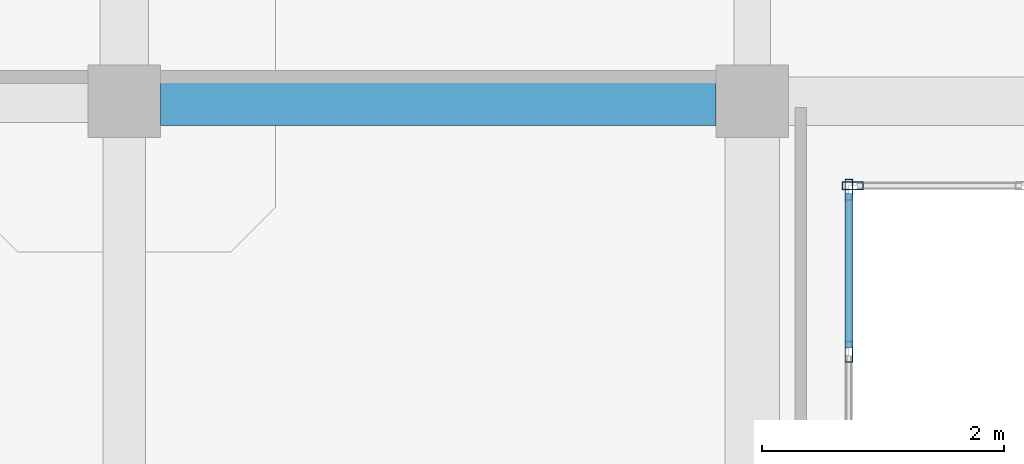
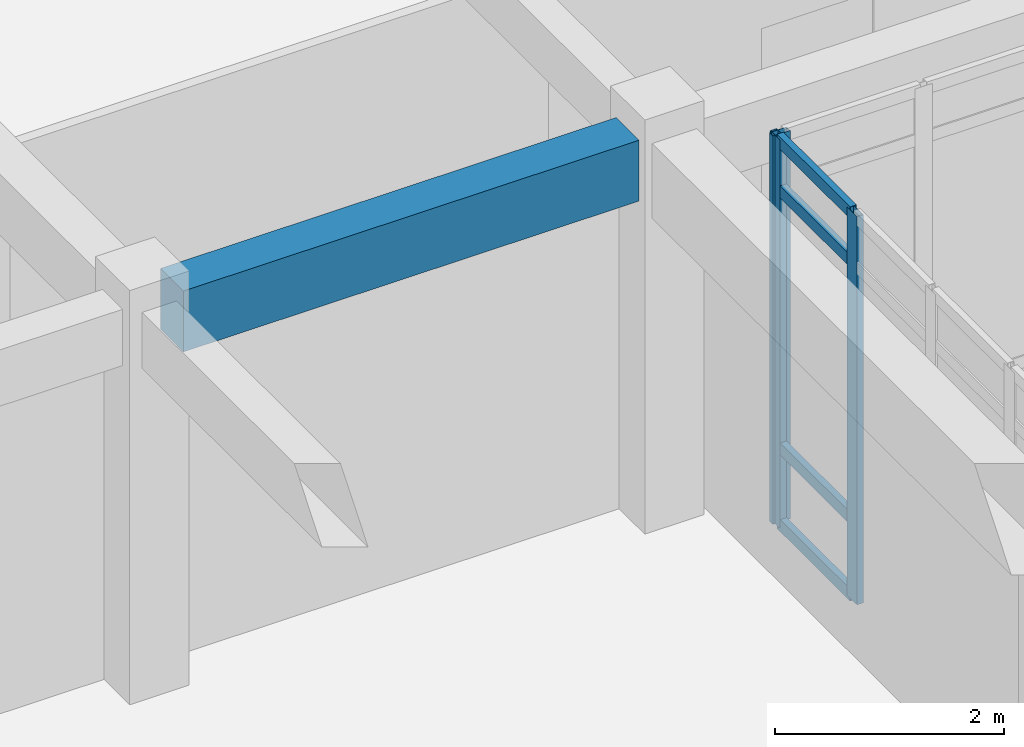
# One storey, part 94 of 142: 7 members, 1 beam, 2 elements without a shape of their own.
"""IFC4 building model written with IfcOpenShell, lengths in metres."""

from ifc_helpers import new_model, si_unit, direction, frame, origin, origin_2d, place, context, subcontext, project, spatial, rectangle, hollow_rectangle, extrude, material, layer, layer_set, material_profile, profile_set, type_object, element, aggregate, save


model = new_model("IFC4")

# Units and contexts
model_context = context("Model", 3, precision=1e-05, world=origin(), true_north=direction((0.0, 1.0)))
body_context = subcontext(model_context, "Body", "Model", "MODEL_VIEW")
ifc_project = project(units=[si_unit("LENGTHUNIT", "METRE"), si_unit("AREAUNIT", "SQUARE_METRE"), si_unit("VOLUMEUNIT", "CUBIC_METRE"), si_unit("PLANEANGLEUNIT", "RADIAN"), si_unit("MASSUNIT", "GRAM", prefix="KILO")], contexts=[model_context])

# Site, building, storey
site_placement = place(None, origin())
site = spatial("IfcSite", under=ifc_project, at=site_placement, CompositionType="ELEMENT")
building_placement = place(site_placement, origin())
building = spatial("IfcBuilding", under=site, at=building_placement, Name="Valcora Specialist Clinic", CompositionType="ELEMENT")
storey_placement = place(building_placement, frame((0.0, 0.0, 5.10009765625)))
storey = spatial("IfcBuildingStorey", under=building, at=storey_placement, Name="L01", CompositionType="ELEMENT", Elevation=5.10009765625)

# Beam
ifc_material_1 = material(Name="Concrete C40/50", Category="concrete")
ifc_material_profile_1 = material_profile(ifc_material_1, rectangle(XDim=0.39990234375, YDim=0.64990234375, at=origin_2d()), Name="RC-BM-400X650")
ifc_profile_set_1 = profile_set([ifc_material_profile_1], Name="Concrete C40/50")
beam_type = type_object("IfcBeamType", Name="TY-BM-RC400X650", PredefinedType="BEAM", material=ifc_profile_set_1)
beam_placement = place(storey_placement, frame((106.300048828125, 99.199951171875, 3.81982421875), z_axis=(1.0, 0.0, 0.0), x_axis=(0.0, 1.0, 0.0)))
element("IfcBeam", 1, at=beam_placement, inside=storey, type_object=beam_type, Name="Beam BM-L01-0645", PredefinedType="BEAM", context=body_context, shape_type="SweptSolid", body=[
    extrude(rectangle(XDim=0.39990234375, YDim=0.64990234375, at=origin_2d()), origin(), (0.0, 0.0, 1.0), 4.599853515625),
])

# Curtain wall, member
ifc_material_2 = material(Name="Anodized Bronze Aluminium 6063-T6", Category="aluminium")
ifc_layer = layer(ifc_material_2, 0.175048828125)
ifc_layer_set = layer_set([ifc_layer], Name="Anodized Bronze Aluminium 6063-T6")
curtain_wall_type = type_object("IfcCurtainWallType", Name="TY-CW-CRT15", PredefinedType="NOTDEFINED", material=ifc_layer_set)
curtain_wall_1_placement = place(storey_placement, origin())
curtain_wall_1 = element("IfcCurtainWall", 2, at=curtain_wall_1_placement, inside=storey, type_object=curtain_wall_type, Name="Curtain wall CW-L01-081", PredefinedType="NOTDEFINED")
ifc_material_profile_2 = material_profile(ifc_material_2, hollow_rectangle(XDim=0.06494140625, YDim=0.175048828125, WallThickness=0.00390625, at=origin_2d()), Name="AL-MUL-65X175")
ifc_profile_set_2 = profile_set([ifc_material_profile_2], Name="Anodized Bronze Aluminium 6063-T6")
member_type_1 = type_object("IfcMemberType", Name="TY-CWM-65X175", PredefinedType="MULLION", material=ifc_profile_set_2)
member_1_placement = place(storey_placement, frame((112.032470703125, 98.5, 0.0), z_axis=(0.0, 0.0, 1.0), x_axis=(0.0, -1.0, 0.0)))
member_1 = element("IfcMember", 3, at=member_1_placement, type_object=member_type_1, Name="CW-CRT-15 mullion 4", PredefinedType="MULLION", context=body_context, shape_type="SweptSolid", body=[
    extrude(hollow_rectangle(XDim=0.06494140625, YDim=0.175048828125, WallThickness=0.00390625, at=origin_2d()), origin(), (0.0, 0.0, 1.0), 4.14501953125),
])
aggregate(curtain_wall_1, [member_1])

# Curtain wall, members
curtain_wall_2_placement = place(storey_placement, origin())
curtain_wall_2 = element("IfcCurtainWall", 4, at=curtain_wall_2_placement, inside=storey, type_object=curtain_wall_type, Name="Curtain wall CW-L01-082", PredefinedType="NOTDEFINED")
member_2_placement = place(storey_placement, frame((112.0, 98.467529296875, 0.0), z_axis=(0.0, 0.0, 1.0), x_axis=(1.0, 0.0, 0.0)))
member_2 = element("IfcMember", 5, at=member_2_placement, type_object=member_type_1, Name="CW-CRT-15 mullion 1", PredefinedType="MULLION", context=body_context, shape_type="SweptSolid", body=[
    extrude(hollow_rectangle(XDim=0.06494140625, YDim=0.175048828125, WallThickness=0.00390625, at=origin_2d()), origin(), (0.0, 0.0, 1.0), 4.14501953125),
])
member_3_placement = place(storey_placement, frame((112.0, 97.125, 0.0), z_axis=(0.0, 0.0, 1.0), x_axis=(1.0, 0.0, 0.0)))
member_3 = element("IfcMember", 6, at=member_3_placement, type_object=member_type_1, Name="CW-CRT-15 mullion 2", PredefinedType="MULLION", context=body_context, shape_type="SweptSolid", body=[
    extrude(hollow_rectangle(XDim=0.06494140625, YDim=0.175048828125, WallThickness=0.00390625, at=origin_2d()), origin(), (0.0, 0.0, 1.0), 4.14501953125),
])
ifc_material_profile_3 = material_profile(ifc_material_2, hollow_rectangle(XDim=0.06494140625, YDim=0.1298828125, WallThickness=0.00390625, at=origin_2d()), Name="AL-TRN-65X130")
ifc_profile_set_3 = profile_set([ifc_material_profile_3], Name="Anodized Bronze Aluminium 6063-T6")
member_type_2 = type_object("IfcMemberType", Name="TY-CWT-65X130", PredefinedType="USERDEFINED", material=ifc_profile_set_3)
member_4_placement = place(storey_placement, frame((112.0, 98.43505859375, 0.032470703125), z_axis=(0.0, -1.0, 0.0), x_axis=(1.0, 0.0, 0.0)))
member_4 = element("IfcMember", 7, at=member_4_placement, type_object=member_type_2, Name="CW-CRT-15 transom 1.1", ObjectType="TRANSOM", PredefinedType="USERDEFINED", context=body_context, shape_type="SweptSolid", body=[
    extrude(hollow_rectangle(XDim=0.06494140625, YDim=0.1298828125, WallThickness=0.00390625, at=origin_2d()), origin(), (0.0, 0.0, 1.0), 1.277587890625),
])
member_5_placement = place(storey_placement, frame((112.0, 98.43505859375, 0.849853515625), z_axis=(0.0, -1.0, 0.0), x_axis=(1.0, 0.0, 0.0)))
member_5 = element("IfcMember", 8, at=member_5_placement, type_object=member_type_2, Name="CW-CRT-15 transom 1.2", ObjectType="TRANSOM", PredefinedType="USERDEFINED", context=body_context, shape_type="SweptSolid", body=[
    extrude(hollow_rectangle(XDim=0.06494140625, YDim=0.1298828125, WallThickness=0.00390625, at=origin_2d()), origin(), (0.0, 0.0, 1.0), 1.277587890625),
])
member_6_placement = place(storey_placement, frame((112.0, 98.43505859375, 3.594970703125), z_axis=(0.0, -1.0, 0.0), x_axis=(1.0, 0.0, 0.0)))
member_6 = element("IfcMember", 9, at=member_6_placement, type_object=member_type_2, Name="CW-CRT-15 transom 1.3", ObjectType="TRANSOM", PredefinedType="USERDEFINED", context=body_context, shape_type="SweptSolid", body=[
    extrude(hollow_rectangle(XDim=0.06494140625, YDim=0.1298828125, WallThickness=0.00390625, at=origin_2d()), origin(), (0.0, 0.0, 1.0), 1.277587890625),
])
member_7_placement = place(storey_placement, frame((112.0, 98.43505859375, 4.1123046875), z_axis=(0.0, -1.0, 0.0), x_axis=(1.0, 0.0, 0.0)))
member_7 = element("IfcMember", 10, at=member_7_placement, type_object=member_type_2, Name="CW-CRT-15 transom 1.4", ObjectType="TRANSOM", PredefinedType="USERDEFINED", context=body_context, shape_type="SweptSolid", body=[
    extrude(hollow_rectangle(XDim=0.06494140625, YDim=0.1298828125, WallThickness=0.00390625, at=origin_2d()), origin(), (0.0, 0.0, 1.0), 1.277587890625),
])
aggregate(curtain_wall_2, [member_2, member_3, member_4, member_5, member_6, member_7])

save(model, "model.ifc")
